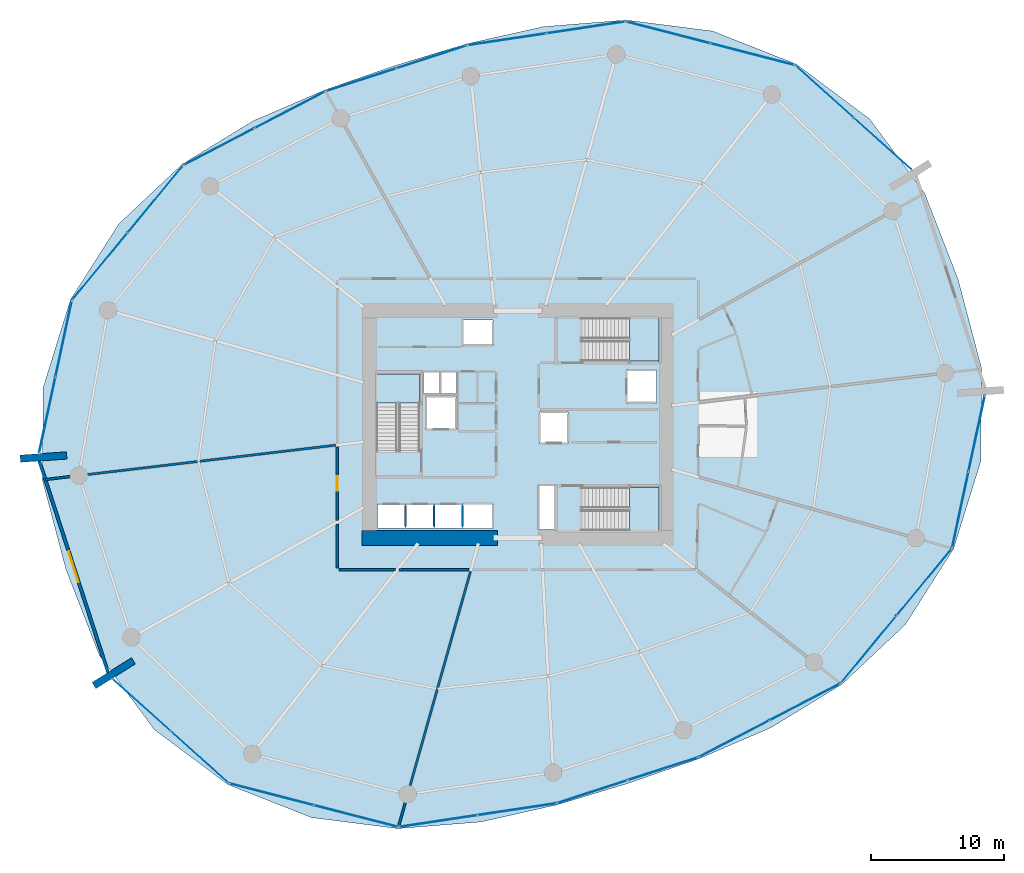
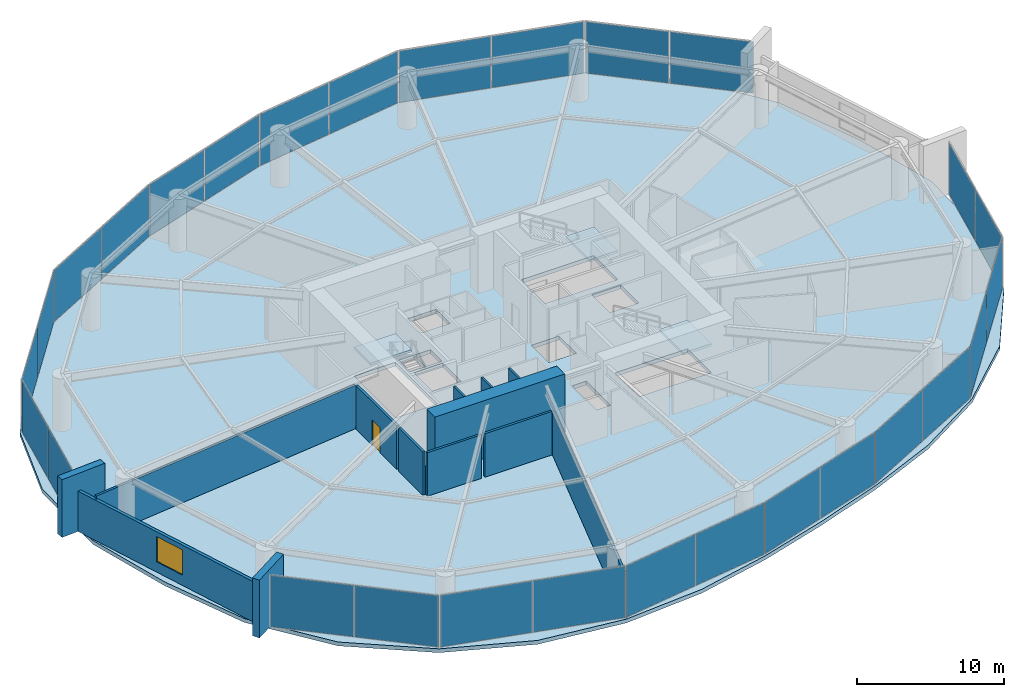
# One storey, part 17 of 22: 28 plates, 13 walls, 4 slabs, 1 door, 1 window, 2 openings, 17 elements without a shape of their own.
"""IFC4 building model written with IfcOpenShell, lengths in metres."""

from ifc_helpers import new_model, si_unit, direction, frame, frame_2d, origin, origin_2d, place, context, subcontext, project, spatial, polyline, rectangle, outline, extrude, material, layer, layer_set, type_object, element, fill, aggregate, save


model = new_model("IFC4")

# Units and contexts
model_context = context("Model", 3, precision=1e-05, world=origin(), true_north=direction((0.0, 1.0)))
body_context = subcontext(model_context, "Body", "Model", "MODEL_VIEW")
ifc_project = project(units=[si_unit("LENGTHUNIT", "METRE"), si_unit("AREAUNIT", "SQUARE_METRE"), si_unit("VOLUMEUNIT", "CUBIC_METRE"), si_unit("PLANEANGLEUNIT", "RADIAN"), si_unit("MASSUNIT", "GRAM", prefix="KILO")], contexts=[model_context])

# Site, building, storey
site_placement = place(None, origin())
site = spatial("IfcSite", under=ifc_project, at=site_placement, CompositionType="ELEMENT")
building_placement = place(site_placement, origin())
building = spatial("IfcBuilding", under=site, at=building_placement, Name="Kazma Halo Residences", CompositionType="ELEMENT")
storey_placement = place(building_placement, frame((0.0, 0.0, 16.800048828125)))
storey = spatial("IfcBuildingStorey", under=building, at=storey_placement, Name="L03", CompositionType="ELEMENT", Elevation=16.800048828125)

# Curtain wall, plates
ifc_material_1 = material(Name="Aluminium AW-6063 T6 and Triple-Silver Low-E Glass", Category="aluminium")
ifc_layer_1 = layer(ifc_material_1, 0.179931640625)
ifc_layer_set_1 = layer_set([ifc_layer_1], Name="Aluminium AW-6063 T6 and Triple-Silver Low-E Glass")
curtain_wall_type = type_object("IfcCurtainWallType", Name="CW-SYS-1", PredefinedType="NOTDEFINED", material=ifc_layer_set_1)
curtain_wall_1_placement = place(storey_placement, origin())
curtain_wall_1 = element("IfcCurtainWall", 1, at=curtain_wall_1_placement, inside=storey, type_object=curtain_wall_type, Name="L03 unitised curtain wall B01", PredefinedType="NOTDEFINED")
ifc_material_2 = material(Name="Clear Triple-Silver Low-E Glass IGU", Category="glass")
ifc_layer_2 = layer(ifc_material_2, 0.031982421875)
ifc_layer_set_2 = layer_set([ifc_layer_2], Name="Clear Triple-Silver Low-E Glass IGU")
plate_type = type_object("IfcPlateType", Name="CW-SYS-1-PNL", PredefinedType="CURTAIN_PANEL", material=ifc_layer_set_2)
plate_1_placement = place(storey_placement, frame((75.8740234375, 63.110107421875, 0.06494140625), z_axis=(0.0, 0.0, 1.0), x_axis=(-0.744297770784, 0.667847908139, 0.0)))
plate_1 = element("IfcPlate", 2, at=plate_1_placement, type_object=plate_type, Name="CWS-1 panel 1.1", PredefinedType="CURTAIN_PANEL", context=body_context, shape_type="SweptSolid", body=[
    extrude(rectangle(XDim=5.8056640625, YDim=0.031982421875, at=origin_2d()), origin(), (0.0, 0.0, 1.0), 4.27001953125),
])
plate_2_placement = place(storey_placement, frame((71.50439453125, 67.031005859375, 0.06494140625), z_axis=(0.0, 0.0, 1.0), x_axis=(-0.744297770784, 0.667847908139, 0.0)))
plate_2 = element("IfcPlate", 3, at=plate_2_placement, type_object=plate_type, Name="CWS-1 panel 2.1", PredefinedType="CURTAIN_PANEL", context=body_context, shape_type="SweptSolid", body=[
    extrude(rectangle(XDim=5.8056640625, YDim=0.031982421875, at=origin_2d()), origin(), (0.0, 0.0, 1.0), 4.27001953125),
])
aggregate(curtain_wall_1, [plate_1, plate_2])

curtain_wall_2_placement = place(storey_placement, origin())
curtain_wall_2 = element("IfcCurtainWall", 4, at=curtain_wall_2_placement, inside=storey, type_object=curtain_wall_type, Name="L03 unitised curtain wall B02", PredefinedType="NOTDEFINED")
plate_3_placement = place(storey_placement, frame((66.09228515625, 69.839111328125, 0.06494140625), z_axis=(0.0, 0.0, 1.0), x_axis=(-0.96831625699, 0.249727103953, 0.0)))
plate_3 = element("IfcPlate", 5, at=plate_3_placement, type_object=plate_type, Name="CWS-1 panel 1.1", PredefinedType="CURTAIN_PANEL", context=body_context, shape_type="SweptSolid", body=[
    extrude(rectangle(XDim=6.48583984375, YDim=0.031982421875, at=origin_2d()), origin(), (0.0, 0.0, 1.0), 4.27001953125),
])
plate_4_placement = place(storey_placement, frame((59.7490234375, 71.47509765625, 0.06494140625), z_axis=(0.0, 0.0, 1.0), x_axis=(-0.96831625699, 0.249727103953, 0.0)))
plate_4 = element("IfcPlate", 6, at=plate_4_placement, type_object=plate_type, Name="CWS-1 panel 2.1", PredefinedType="CURTAIN_PANEL", context=body_context, shape_type="SweptSolid", body=[
    extrude(rectangle(XDim=6.48583984375, YDim=0.031982421875, at=origin_2d()), origin(), (0.0, 0.0, 1.0), 4.27001953125),
])
aggregate(curtain_wall_2, [plate_3, plate_4])

curtain_wall_3_placement = place(storey_placement, origin())
curtain_wall_3 = element("IfcCurtainWall", 7, at=curtain_wall_3_placement, inside=storey, type_object=curtain_wall_type, Name="L03 unitised curtain wall B03", PredefinedType="NOTDEFINED")
plate_5_placement = place(storey_placement, frame((53.549560546875, 71.85107421875, 0.06494140625), z_axis=(0.0, 0.0, 1.0), x_axis=(-0.988905053379, -0.148548966342, 0.0)))
plate_5 = element("IfcPlate", 8, at=plate_5_placement, type_object=plate_type, Name="CWS-1 panel 1.1", PredefinedType="CURTAIN_PANEL", context=body_context, shape_type="SweptSolid", body=[
    extrude(rectangle(XDim=5.929443359375, YDim=0.031982421875, at=origin_2d()), origin(), (0.0, 0.0, 1.0), 4.27001953125),
])
plate_6_placement = place(storey_placement, frame((47.621826171875, 70.96044921875, 0.06494140625), z_axis=(0.0, 0.0, 1.0), x_axis=(-0.988905053379, -0.148548966342, 0.0)))
plate_6 = element("IfcPlate", 9, at=plate_6_placement, type_object=plate_type, Name="CWS-1 panel 2.1", PredefinedType="CURTAIN_PANEL", context=body_context, shape_type="SweptSolid", body=[
    extrude(rectangle(XDim=5.929443359375, YDim=0.031982421875, at=origin_2d()), origin(), (0.0, 0.0, 1.0), 4.27001953125),
])
aggregate(curtain_wall_3, [plate_5, plate_6])

curtain_wall_4_placement = place(storey_placement, origin())
curtain_wall_4 = element("IfcCurtainWall", 10, at=curtain_wall_4_placement, inside=storey, type_object=curtain_wall_type, Name="L03 unitised curtain wall B04", PredefinedType="NOTDEFINED")
plate_7_placement = place(storey_placement, frame((41.94677734375, 69.64013671875, 0.06494140625), z_axis=(0.0, 0.0, 1.0), x_axis=(-0.951056436743, -0.309017239211, 0.0)))
plate_7 = element("IfcPlate", 11, at=plate_7_placement, type_object=plate_type, Name="CWS-1 panel 1.1", PredefinedType="CURTAIN_PANEL", context=body_context, shape_type="SweptSolid", body=[
    extrude(rectangle(XDim=5.50341796875, YDim=0.031982421875, at=origin_2d()), origin(), (0.0, 0.0, 1.0), 4.27001953125),
])
plate_8_placement = place(storey_placement, frame((36.65087890625, 67.91943359375, 0.06494140625), z_axis=(0.0, 0.0, 1.0), x_axis=(-0.951056436743, -0.309017239211, 0.0)))
plate_8 = element("IfcPlate", 12, at=plate_8_placement, type_object=plate_type, Name="CWS-1 panel 2.1", PredefinedType="CURTAIN_PANEL", context=body_context, shape_type="SweptSolid", body=[
    extrude(rectangle(XDim=5.50341796875, YDim=0.031982421875, at=origin_2d()), origin(), (0.0, 0.0, 1.0), 4.27001953125),
])
aggregate(curtain_wall_4, [plate_7, plate_8])

curtain_wall_5_placement = place(storey_placement, origin())
curtain_wall_5 = element("IfcCurtainWall", 13, at=curtain_wall_5_placement, inside=storey, type_object=curtain_wall_type, Name="L03 unitised curtain wall B05", PredefinedType="NOTDEFINED")
plate_9_placement = place(storey_placement, frame((31.283447265625, 65.65185546875, 0.06494140625), z_axis=(0.0, 0.0, 1.0), x_axis=(-0.887355036047, -0.46108680311, 0.0)))
plate_9 = element("IfcPlate", 14, at=plate_9_placement, type_object=plate_type, Name="CWS-1 panel 1.1", PredefinedType="CURTAIN_PANEL", context=body_context, shape_type="SweptSolid", body=[
    extrude(rectangle(XDim=5.929443359375, YDim=0.031982421875, at=origin_2d()), origin(), (0.0, 0.0, 1.0), 4.27001953125),
])
plate_10_placement = place(storey_placement, frame((25.96435546875, 62.887939453125, 0.06494140625), z_axis=(0.0, 0.0, 1.0), x_axis=(-0.887355036047, -0.46108680311, 0.0)))
plate_10 = element("IfcPlate", 15, at=plate_10_placement, type_object=plate_type, Name="CWS-1 panel 2.1", PredefinedType="CURTAIN_PANEL", context=body_context, shape_type="SweptSolid", body=[
    extrude(rectangle(XDim=5.929443359375, YDim=0.031982421875, at=origin_2d()), origin(), (0.0, 0.0, 1.0), 4.27001953125),
])
aggregate(curtain_wall_5, [plate_9, plate_10])

curtain_wall_6_placement = place(storey_placement, origin())
curtain_wall_6 = element("IfcCurtainWall", 16, at=curtain_wall_6_placement, inside=storey, type_object=curtain_wall_type, Name="L03 unitised curtain wall B06", PredefinedType="NOTDEFINED")
plate_11_placement = place(storey_placement, frame((21.169921875, 58.93994140625, 0.06494140625), z_axis=(0.0, 0.0, 1.0), x_axis=(-0.636602895194, -0.771191775002, 0.0)))
plate_11 = element("IfcPlate", 17, at=plate_11_placement, type_object=plate_type, Name="CWS-1 panel 1.1", PredefinedType="CURTAIN_PANEL", context=body_context, shape_type="SweptSolid", body=[
    extrude(rectangle(XDim=6.48583984375, YDim=0.031982421875, at=origin_2d()), origin(), (0.0, 0.0, 1.0), 4.27001953125),
])
plate_12_placement = place(storey_placement, frame((16.999755859375, 53.887939453125, 0.06494140625), z_axis=(0.0, 0.0, 1.0), x_axis=(-0.636602895194, -0.771191775002, 0.0)))
plate_12 = element("IfcPlate", 18, at=plate_12_placement, type_object=plate_type, Name="CWS-1 panel 2.1", PredefinedType="CURTAIN_PANEL", context=body_context, shape_type="SweptSolid", body=[
    extrude(rectangle(XDim=6.48583984375, YDim=0.031982421875, at=origin_2d()), origin(), (0.0, 0.0, 1.0), 4.27001953125),
])
aggregate(curtain_wall_6, [plate_11, plate_12])

curtain_wall_7_placement = place(storey_placement, origin())
curtain_wall_7 = element("IfcCurtainWall", 19, at=curtain_wall_7_placement, inside=storey, type_object=curtain_wall_type, Name="L03 unitised curtain wall B07", PredefinedType="NOTDEFINED")
plate_13_placement = place(storey_placement, frame((14.271728515625, 48.434814453125, 0.06494140625), z_axis=(0.0, 0.0, 1.0), x_axis=(-0.209595607771, -0.977788157631, 0.0)))
plate_13 = element("IfcPlate", 20, at=plate_13_placement, type_object=plate_type, Name="CWS-1 panel 1.1", PredefinedType="CURTAIN_PANEL", context=body_context, shape_type="SweptSolid", body=[
    extrude(rectangle(XDim=5.8056640625, YDim=0.031982421875, at=origin_2d()), origin(), (0.0, 0.0, 1.0), 4.27001953125),
])
plate_14_placement = place(storey_placement, frame((13.041259765625, 42.694580078125, 0.06494140625), z_axis=(0.0, 0.0, 1.0), x_axis=(-0.209595607771, -0.977788157631, 0.0)))
plate_14 = element("IfcPlate", 21, at=plate_14_placement, type_object=plate_type, Name="CWS-1 panel 2.1", PredefinedType="CURTAIN_PANEL", context=body_context, shape_type="SweptSolid", body=[
    extrude(rectangle(XDim=5.8056640625, YDim=0.031982421875, at=origin_2d()), origin(), (0.0, 0.0, 1.0), 4.27001953125),
])
aggregate(curtain_wall_7, [plate_13, plate_14])

curtain_wall_8_placement = place(storey_placement, origin())
curtain_wall_8 = element("IfcCurtainWall", 22, at=curtain_wall_8_placement, inside=storey, type_object=curtain_wall_type, Name="L03 unitised curtain wall B09", PredefinedType="NOTDEFINED")
plate_15_placement = place(storey_placement, frame((20.1259765625, 20.889892578125, 0.06494140625), z_axis=(0.0, 0.0, 1.0), x_axis=(0.744297770784, -0.667847908139, 0.0)))
plate_15 = element("IfcPlate", 23, at=plate_15_placement, type_object=plate_type, Name="CWS-1 panel 1.1", PredefinedType="CURTAIN_PANEL", context=body_context, shape_type="SweptSolid", body=[
    extrude(rectangle(XDim=5.8056640625, YDim=0.031982421875, at=origin_2d()), origin(), (0.0, 0.0, 1.0), 4.27001953125),
])
plate_16_placement = place(storey_placement, frame((24.49560546875, 16.968994140625, 0.06494140625), z_axis=(0.0, 0.0, 1.0), x_axis=(0.744297770784, -0.667847908139, 0.0)))
plate_16 = element("IfcPlate", 24, at=plate_16_placement, type_object=plate_type, Name="CWS-1 panel 2.1", PredefinedType="CURTAIN_PANEL", context=body_context, shape_type="SweptSolid", body=[
    extrude(rectangle(XDim=5.8056640625, YDim=0.031982421875, at=origin_2d()), origin(), (0.0, 0.0, 1.0), 4.27001953125),
])
aggregate(curtain_wall_8, [plate_15, plate_16])

curtain_wall_9_placement = place(storey_placement, origin())
curtain_wall_9 = element("IfcCurtainWall", 25, at=curtain_wall_9_placement, inside=storey, type_object=curtain_wall_type, Name="L03 unitised curtain wall B10", PredefinedType="NOTDEFINED")
plate_17_placement = place(storey_placement, frame((29.90771484375, 14.160888671875, 0.06494140625), z_axis=(0.0, 0.0, 1.0), x_axis=(0.96831625699, -0.249727103953, 0.0)))
plate_17 = element("IfcPlate", 26, at=plate_17_placement, type_object=plate_type, Name="CWS-1 panel 1.1", PredefinedType="CURTAIN_PANEL", context=body_context, shape_type="SweptSolid", body=[
    extrude(rectangle(XDim=6.48583984375, YDim=0.031982421875, at=origin_2d()), origin(), (0.0, 0.0, 1.0), 4.27001953125),
])
plate_18_placement = place(storey_placement, frame((36.2509765625, 12.52490234375, 0.06494140625), z_axis=(0.0, 0.0, 1.0), x_axis=(0.96831625699, -0.249727103953, 0.0)))
plate_18 = element("IfcPlate", 27, at=plate_18_placement, type_object=plate_type, Name="CWS-1 panel 2.1", PredefinedType="CURTAIN_PANEL", context=body_context, shape_type="SweptSolid", body=[
    extrude(rectangle(XDim=6.48583984375, YDim=0.031982421875, at=origin_2d()), origin(), (0.0, 0.0, 1.0), 4.27001953125),
])
aggregate(curtain_wall_9, [plate_17, plate_18])

curtain_wall_10_placement = place(storey_placement, origin())
curtain_wall_10 = element("IfcCurtainWall", 28, at=curtain_wall_10_placement, inside=storey, type_object=curtain_wall_type, Name="L03 unitised curtain wall B11", PredefinedType="NOTDEFINED")
plate_19_placement = place(storey_placement, frame((42.450439453125, 12.14892578125, 0.06494140625), z_axis=(0.0, 0.0, 1.0), x_axis=(0.988905053379, 0.148548966342, 0.0)))
plate_19 = element("IfcPlate", 29, at=plate_19_placement, type_object=plate_type, Name="CWS-1 panel 1.1", PredefinedType="CURTAIN_PANEL", context=body_context, shape_type="SweptSolid", body=[
    extrude(rectangle(XDim=5.929443359375, YDim=0.031982421875, at=origin_2d()), origin(), (0.0, 0.0, 1.0), 4.27001953125),
])
plate_20_placement = place(storey_placement, frame((48.378173828125, 13.03955078125, 0.06494140625), z_axis=(0.0, 0.0, 1.0), x_axis=(0.988905053379, 0.148548966342, 0.0)))
plate_20 = element("IfcPlate", 30, at=plate_20_placement, type_object=plate_type, Name="CWS-1 panel 2.1", PredefinedType="CURTAIN_PANEL", context=body_context, shape_type="SweptSolid", body=[
    extrude(rectangle(XDim=5.929443359375, YDim=0.031982421875, at=origin_2d()), origin(), (0.0, 0.0, 1.0), 4.27001953125),
])
aggregate(curtain_wall_10, [plate_19, plate_20])

curtain_wall_11_placement = place(storey_placement, origin())
curtain_wall_11 = element("IfcCurtainWall", 31, at=curtain_wall_11_placement, inside=storey, type_object=curtain_wall_type, Name="L03 unitised curtain wall B12", PredefinedType="NOTDEFINED")
plate_21_placement = place(storey_placement, frame((54.05322265625, 14.35986328125, 0.06494140625), z_axis=(0.0, 0.0, 1.0), x_axis=(0.951056436743, 0.309017239211, 0.0)))
plate_21 = element("IfcPlate", 32, at=plate_21_placement, type_object=plate_type, Name="CWS-1 panel 1.1", PredefinedType="CURTAIN_PANEL", context=body_context, shape_type="SweptSolid", body=[
    extrude(rectangle(XDim=5.50341796875, YDim=0.031982421875, at=origin_2d()), origin(), (0.0, 0.0, 1.0), 4.27001953125),
])
plate_22_placement = place(storey_placement, frame((59.34912109375, 16.08056640625, 0.06494140625), z_axis=(0.0, 0.0, 1.0), x_axis=(0.951056436743, 0.309017239211, 0.0)))
plate_22 = element("IfcPlate", 33, at=plate_22_placement, type_object=plate_type, Name="CWS-1 panel 2.1", PredefinedType="CURTAIN_PANEL", context=body_context, shape_type="SweptSolid", body=[
    extrude(rectangle(XDim=5.50341796875, YDim=0.031982421875, at=origin_2d()), origin(), (0.0, 0.0, 1.0), 4.27001953125),
])
aggregate(curtain_wall_11, [plate_21, plate_22])

curtain_wall_12_placement = place(storey_placement, origin())
curtain_wall_12 = element("IfcCurtainWall", 34, at=curtain_wall_12_placement, inside=storey, type_object=curtain_wall_type, Name="L03 unitised curtain wall B13", PredefinedType="NOTDEFINED")
plate_23_placement = place(storey_placement, frame((64.716552734375, 18.34814453125, 0.06494140625), z_axis=(0.0, 0.0, 1.0), x_axis=(0.887355036047, 0.46108680311, 0.0)))
plate_23 = element("IfcPlate", 35, at=plate_23_placement, type_object=plate_type, Name="CWS-1 panel 1.1", PredefinedType="CURTAIN_PANEL", context=body_context, shape_type="SweptSolid", body=[
    extrude(rectangle(XDim=5.929443359375, YDim=0.031982421875, at=origin_2d()), origin(), (0.0, 0.0, 1.0), 4.27001953125),
])
plate_24_placement = place(storey_placement, frame((70.03564453125, 21.112060546875, 0.06494140625), z_axis=(0.0, 0.0, 1.0), x_axis=(0.887355036047, 0.46108680311, 0.0)))
plate_24 = element("IfcPlate", 36, at=plate_24_placement, type_object=plate_type, Name="CWS-1 panel 2.1", PredefinedType="CURTAIN_PANEL", context=body_context, shape_type="SweptSolid", body=[
    extrude(rectangle(XDim=5.929443359375, YDim=0.031982421875, at=origin_2d()), origin(), (0.0, 0.0, 1.0), 4.27001953125),
])
aggregate(curtain_wall_12, [plate_23, plate_24])

curtain_wall_13_placement = place(storey_placement, origin())
curtain_wall_13 = element("IfcCurtainWall", 37, at=curtain_wall_13_placement, inside=storey, type_object=curtain_wall_type, Name="L03 unitised curtain wall B14", PredefinedType="NOTDEFINED")
plate_25_placement = place(storey_placement, frame((74.830078125, 25.06005859375, 0.06494140625), z_axis=(0.0, 0.0, 1.0), x_axis=(0.636602895194, 0.771191775002, 0.0)))
plate_25 = element("IfcPlate", 38, at=plate_25_placement, type_object=plate_type, Name="CWS-1 panel 1.1", PredefinedType="CURTAIN_PANEL", context=body_context, shape_type="SweptSolid", body=[
    extrude(rectangle(XDim=6.48583984375, YDim=0.031982421875, at=origin_2d()), origin(), (0.0, 0.0, 1.0), 4.27001953125),
])
plate_26_placement = place(storey_placement, frame((79.000244140625, 30.112060546875, 0.06494140625), z_axis=(0.0, 0.0, 1.0), x_axis=(0.636602895194, 0.771191775002, 0.0)))
plate_26 = element("IfcPlate", 39, at=plate_26_placement, type_object=plate_type, Name="CWS-1 panel 2.1", PredefinedType="CURTAIN_PANEL", context=body_context, shape_type="SweptSolid", body=[
    extrude(rectangle(XDim=6.48583984375, YDim=0.031982421875, at=origin_2d()), origin(), (0.0, 0.0, 1.0), 4.27001953125),
])
aggregate(curtain_wall_13, [plate_25, plate_26])

curtain_wall_14_placement = place(storey_placement, origin())
curtain_wall_14 = element("IfcCurtainWall", 40, at=curtain_wall_14_placement, inside=storey, type_object=curtain_wall_type, Name="L03 unitised curtain wall B15", PredefinedType="NOTDEFINED")
plate_27_placement = place(storey_placement, frame((81.728271484375, 35.565185546875, 0.06494140625), z_axis=(0.0, 0.0, 1.0), x_axis=(0.209595607771, 0.977788157631, 0.0)))
plate_27 = element("IfcPlate", 41, at=plate_27_placement, type_object=plate_type, Name="CWS-1 panel 1.1", PredefinedType="CURTAIN_PANEL", context=body_context, shape_type="SweptSolid", body=[
    extrude(rectangle(XDim=5.8056640625, YDim=0.031982421875, at=origin_2d()), origin(), (0.0, 0.0, 1.0), 4.27001953125),
])
plate_28_placement = place(storey_placement, frame((82.958740234375, 41.305419921875, 0.06494140625), z_axis=(0.0, 0.0, 1.0), x_axis=(0.209595607771, 0.977788157631, 0.0)))
plate_28 = element("IfcPlate", 42, at=plate_28_placement, type_object=plate_type, Name="CWS-1 panel 2.1", PredefinedType="CURTAIN_PANEL", context=body_context, shape_type="SweptSolid", body=[
    extrude(rectangle(XDim=5.8056640625, YDim=0.031982421875, at=origin_2d()), origin(), (0.0, 0.0, 1.0), 4.27001953125),
])
aggregate(curtain_wall_14, [plate_27, plate_28])

# Slab
ifc_material_3 = material(Name="Concrete C50/60", Category="concrete")
ifc_layer_3 = layer(ifc_material_3, 0.320068359375)
ifc_layer_set_3 = layer_set([ifc_layer_3], Name="Concrete C50/60")
slab_type_1 = type_object("IfcSlabType", Name="SLB-POD-320", PredefinedType="FLOOR", material=ifc_layer_set_3)
slab_1_placement = place(storey_placement, frame((0.0, 0.0, -0.320068359375)))
element("IfcSlab", 43, at=slab_1_placement, inside=storey, type_object=slab_type_1, Name="L03 structural floor slab", PredefinedType="FLOOR", context=body_context, shape_type="SweptSolid", body=[
    extrude(outline(polyline([(81.56396484375, 52.905517578125), (79.04638671875, 59.38671875), (74.903564453125, 64.977783203125), (69.36962890625, 69.107177734375), (63.076171875, 71.58837890625), (56.578369140625, 72.41650390625), (50.354736328125, 71.918701171875), (44.611572265625, 70.629638671875), (39.226318359375, 69.00244140625), (33.913330078125, 67.153564453125), (28.50927734375, 64.82080078125), (23.181396484375, 61.565185546875), (18.41162109375, 57.076171875), (14.7783203125, 51.369384765625), (12.728515625, 44.77587890625), (12.663330078125, 37.817626953125), (14.43603515625, 31.094482421875), (16.95361328125, 24.61328125), (21.096435546875, 19.022216796875), (26.63037109375, 14.892822265625), (32.923828125, 12.41162109375), (39.421630859375, 11.58349609375), (45.645263671875, 12.081298828125), (51.388427734375, 13.370361328125), (56.773681640625, 14.99755859375), (62.086669921875, 16.846435546875), (67.49072265625, 19.17919921875), (72.818603515625, 22.434814453125), (77.58837890625, 26.923828125), (81.2216796875, 32.630615234375), (83.271484375, 39.22412109375), (83.336669921875, 46.182373046875), (81.56396484375, 52.905517578125)]), holes=[polyline([(37.800048828125, 40.110107421875), (41.050048828125, 40.110107421875), (41.050048828125, 45.800048828125), (37.800048828125, 45.800048828125), (37.800048828125, 40.110107421875)]), polyline([(53.360107421875, 46.75), (59.050048828125, 46.75), (59.050048828125, 50.0), (53.360107421875, 50.0), (53.360107421875, 46.75)]), polyline([(53.360107421875, 34.0), (59.050048828125, 34.0), (59.050048828125, 37.25), (53.360107421875, 37.25), (53.360107421875, 34.0)]), polyline([(41.52001953125, 41.6201171875), (43.780029296875, 41.6201171875), (43.780029296875, 44.080078125), (41.52001953125, 44.080078125), (41.52001953125, 41.6201171875)]), polyline([(56.6201171875, 43.6201171875), (58.8798828125, 43.6201171875), (58.8798828125, 46.080078125), (56.6201171875, 46.080078125), (56.6201171875, 43.6201171875)]), polyline([(37.864990234375, 34.195068359375), (39.97509765625, 34.195068359375), (39.97509765625, 36.0048828125), (37.864990234375, 36.0048828125), (37.864990234375, 34.195068359375)]), polyline([(40.014892578125, 34.195068359375), (42.125, 34.195068359375), (42.125, 36.0048828125), (40.014892578125, 36.0048828125), (40.014892578125, 34.195068359375)]), polyline([(42.1650390625, 34.195068359375), (44.27490234375, 34.195068359375), (44.27490234375, 36.0048828125), (42.1650390625, 36.0048828125), (42.1650390625, 34.195068359375)]), polyline([(44.320068359375, 47.945068359375), (46.580078125, 47.945068359375), (46.580078125, 49.85498046875), (44.320068359375, 49.85498046875), (44.320068359375, 47.945068359375)]), polyline([(44.320068359375, 34.14501953125), (46.580078125, 34.14501953125), (46.580078125, 36.054931640625), (44.320068359375, 36.054931640625), (44.320068359375, 34.14501953125)]), polyline([(50.070068359375, 40.570068359375), (52.22998046875, 40.570068359375), (52.22998046875, 42.929931640625), (50.070068359375, 42.929931640625), (50.070068359375, 40.570068359375)]), polyline([(41.360107421875, 44.340087890625), (42.5400390625, 44.340087890625), (42.5400390625, 45.89990234375), (41.360107421875, 45.89990234375), (41.360107421875, 44.340087890625)]), polyline([(42.659912109375, 44.340087890625), (43.840087890625, 44.340087890625), (43.840087890625, 45.89990234375), (42.659912109375, 45.89990234375), (42.659912109375, 44.340087890625)]), polyline([(50.06005859375, 34.080078125), (51.159912109375, 34.080078125), (51.159912109375, 37.3798828125), (50.06005859375, 37.3798828125), (50.06005859375, 34.080078125)])]), origin(), (0.0, 0.0, 1.0), 0.320068359375),
])

# Stair, slab
stair_type = type_object("IfcStairType", Name="STR-POD", PredefinedType="HALF_TURN_STAIR", material=ifc_material_3)
stair_1_placement = place(storey_placement, origin())
stair_1 = element("IfcStair", 44, at=stair_1_placement, inside=storey, type_object=stair_type, Name="L03 Core exit stair ST-01", PredefinedType="HALF_TURN_STAIR")
ifc_layer_4 = layer(ifc_material_3, 0.199951171875)
ifc_layer_set_4 = layer_set([ifc_layer_4], Name="Concrete C50/60")
slab_type_2 = type_object("IfcSlabType", Name="SLB-STAIR-LND-200", PredefinedType="LANDING", material=ifc_layer_set_4)
slab_2_placement = place(storey_placement, frame((0.0, 0.0, 2.199951171875)))
slab_2 = element("IfcSlab", 45, at=slab_2_placement, type_object=slab_type_2, Name="ST-01 landing 1", PredefinedType="LANDING", context=body_context, shape_type="SweptSolid", body=[
    extrude(outline(polyline([(41.050048828125, 43.590087890625), (41.050048828125, 45.800048828125), (37.800048828125, 45.800048828125), (37.800048828125, 43.590087890625), (41.050048828125, 43.590087890625)])), origin(), (0.0, 0.0, 1.0), 0.199951171875),
])
aggregate(stair_1, [slab_2])

stair_2_placement = place(storey_placement, origin())
stair_2 = element("IfcStair", 46, at=stair_2_placement, inside=storey, type_object=stair_type, Name="L03 Core exit stair ST-02", PredefinedType="HALF_TURN_STAIR")
slab_3_placement = place(storey_placement, frame((0.0, 0.0, 2.199951171875)))
slab_3 = element("IfcSlab", 47, at=slab_3_placement, type_object=slab_type_2, Name="ST-02 landing 1", PredefinedType="LANDING", context=body_context, shape_type="SweptSolid", body=[
    extrude(outline(polyline([(56.840087890625, 46.75), (59.050048828125, 46.75), (59.050048828125, 50.0), (56.840087890625, 50.0), (56.840087890625, 46.75)])), origin(), (0.0, 0.0, 1.0), 0.199951171875),
])
aggregate(stair_2, [slab_3])

stair_3_placement = place(storey_placement, origin())
stair_3 = element("IfcStair", 48, at=stair_3_placement, inside=storey, type_object=stair_type, Name="L03 Core exit stair ST-03", PredefinedType="HALF_TURN_STAIR")
slab_4_placement = place(storey_placement, frame((0.0, 0.0, 2.199951171875)))
slab_4 = element("IfcSlab", 49, at=slab_4_placement, type_object=slab_type_2, Name="ST-03 landing 1", PredefinedType="LANDING", context=body_context, shape_type="SweptSolid", body=[
    extrude(outline(polyline([(56.840087890625, 34.0), (59.050048828125, 34.0), (59.050048828125, 37.25), (56.840087890625, 37.25), (56.840087890625, 34.0)])), origin(), (0.0, 0.0, 1.0), 0.199951171875),
])
aggregate(stair_3, [slab_4])

# Walls
ifc_material_4 = material(Name="Pale Concrete C60/75", Category="concrete")
ifc_layer_5 = layer(ifc_material_4, 0.550048828125)
ifc_layer_set_5 = layer_set([ifc_layer_5], Name="Pale Concrete C60/75")
wall_type_1 = type_object("IfcWallType", Name="WL-BLADE-550", PredefinedType="SOLIDWALL", material=ifc_layer_set_5)
for number, where, z_axis, x_axis, name in (
    (50, (14.497314453125, 39.6572265625, 0.0), (0.0, 0.0, 1.0), (-0.997564163539, -0.069754853754, 0.0), "L03 pale concrete structural blade fin wall BW-02"),
    (51, (19.518798828125, 24.202880859375, 0.0), (0.0, 0.0, 1.0), (-0.848053161125, -0.529911158502, 0.0), "L03 pale concrete structural blade fin wall BW-03"),
):
    element("IfcWall", number, at=place(storey_placement, frame(where, z_axis=z_axis, x_axis=x_axis)), inside=storey, type_object=wall_type_1, Name=name, PredefinedType="SOLIDWALL", context=body_context, shape_type="SweptSolid", body=[
        extrude(rectangle(XDim=3.5, YDim=0.550048828125, at=frame_2d((1.75, 0.0))), origin(), (0.0, 0.0, 1.0), 4.800048828125),
    ])
ifc_material_5 = material(Name="Concrete C80/95", Category="concrete")
ifc_layer_6 = layer(ifc_material_5, 1.10009765625)
ifc_layer_set_6 = layer_set([ifc_layer_6], Name="Concrete C80/95")
wall_type_2 = type_object("IfcWallType", Name="WL-CORE-1100", PredefinedType="SHEAR", material=ifc_layer_set_6)
wall_1_placement = place(storey_placement, frame((36.699951171875, 33.449951171875, 0.0), z_axis=(0.0, 0.0, 1.0), x_axis=(1.0, 0.0, 0.0)))
element("IfcWall", 52, at=wall_1_placement, inside=storey, type_object=wall_type_2, Name="L03 central core shear wall SW", PredefinedType="SHEAR", context=body_context, shape_type="SweptSolid", body=[
    extrude(rectangle(XDim=10.199951171875, YDim=1.10009765625, at=frame_2d((5.10009765625, 0.0))), origin(), (0.0, 0.0, 1.0), 4.800048828125),
])
ifc_material_6 = material(Name="Acoustic Twin-Stud Gypsum")
ifc_layer_7 = layer(ifc_material_6, 0.179931640625)
ifc_layer_set_7 = layer_set([ifc_layer_7], Name="Acoustic Twin-Stud Gypsum")
wall_type_3 = type_object("IfcWallType", Name="WL-DEM-180", PredefinedType="PARTITIONING", material=ifc_layer_set_7)
wall_2_placement = place(storey_placement, frame((34.74072265625, 40.4306640625, 0.0), z_axis=(0.0, 0.0, 1.0), x_axis=(-0.993068662125, -0.117535663975, 0.0)))
element("IfcWall", 53, at=wall_2_placement, inside=storey, type_object=wall_type_3, Name="L03 radial partition wall 07", PredefinedType="PARTITIONING", context=body_context, shape_type="SweptSolid", body=[
    extrude(rectangle(XDim=21.98876953125, YDim=0.179931640625, at=frame_2d((10.994384765625, 0.0))), origin(), (0.0, 0.0, 1.0), 3.613037109375),
])

# Wall, opening, door
wall_3_placement = place(storey_placement, frame((34.85009765625, 40.3037109375, 0.0), z_axis=(0.0, 0.0, 1.0), x_axis=(0.0, -1.0, 0.0)))
wall_3 = element("IfcWall", 54, at=wall_3_placement, inside=storey, type_object=wall_type_3, Name="L03 Personal Training Studio corridor wall", PredefinedType="PARTITIONING", context=body_context, shape_type="SweptSolid", body=[
    extrude(rectangle(XDim=5.528076171875, YDim=0.179931640625, at=frame_2d((2.76416015625, 0.0))), origin(), (0.0, 0.0, 1.0), 3.613037109375),
])
opening_1_placement = place(wall_3_placement, frame((2.214111328125, 0.0, 0.0)))
opening_1 = element("IfcOpeningElement", 55, at=opening_1_placement, cuts=wall_3, Name="Opening DA-1100", PredefinedType="OPENING", context=body_context, shape_type="SweptSolid", body=[
    extrude(rectangle(XDim=1.10009765625, YDim=2.10009765625, at=frame_2d((0.550048828125, 1.050048828125))), frame((0.0, 0.099853515625, 0.0), z_axis=(0.0, -1.0, 0.0), x_axis=(1.0, 0.0, 0.0)), (0.0, 0.0, 1.0), 0.199951171875),
])
ifc_material_7 = material(Name="Acoustic Walnut Fire Leaf")
door_type = type_object("IfcDoorType", Name="DR-FD60-1100", OperationType="NOTDEFINED", PredefinedType="DOOR", material=ifc_material_7)
door_placement = place(opening_1_placement, origin())
door = element("IfcDoor", 56, at=door_placement, inside=storey, type_object=door_type, Name="L03 Personal Training Studio entrance door", OperationType="SINGLE_SWING_LEFT", OverallHeight=2.10009765625, OverallWidth=1.10009765625, PredefinedType="DOOR", context=body_context, shape_type="SweptSolid", body=[
    extrude(rectangle(XDim=1.10009765625, YDim=2.10009765625, at=frame_2d((0.550048828125, 1.050048828125))), frame((0.0, 0.02490234375, 0.0), z_axis=(0.0, -1.0, 0.0), x_axis=(1.0, 0.0, 0.0)), (0.0, 0.0, 1.0), 0.050048828125),
])
fill(opening_1, door)

# Walls
wall_4_placement = place(storey_placement, frame((34.85009765625, 34.49560546875, 0.0), z_axis=(0.0, 0.0, 1.0), x_axis=(0.0, -1.0, 0.0)))
element("IfcWall", 57, at=wall_4_placement, inside=storey, type_object=wall_type_3, Name="L03 Personal Training Studio corridor wall", PredefinedType="PARTITIONING", context=body_context, shape_type="SweptSolid", body=[
    extrude(rectangle(XDim=3.3056640625, YDim=0.179931640625, at=frame_2d((1.65283203125, 0.0))), origin(), (0.0, 0.0, 1.0), 3.613037109375),
])
wall_5_placement = place(storey_placement, frame((34.989990234375, 31.050048828125, 0.0), z_axis=(0.0, 0.0, 1.0), x_axis=(1.0, 0.0, 0.0)))
element("IfcWall", 58, at=wall_5_placement, inside=storey, type_object=wall_type_3, Name="L03 Personal Training Studio corridor wall", PredefinedType="PARTITIONING", context=body_context, shape_type="SweptSolid", body=[
    extrude(rectangle(XDim=4.23779296875, YDim=0.179931640625, at=frame_2d((2.118896484375, 0.0))), origin(), (0.0, 0.0, 1.0), 3.613037109375),
])
wall_6_placement = place(storey_placement, frame((39.5078125, 31.050048828125, 0.0), z_axis=(0.0, 0.0, 1.0), x_axis=(1.0, 0.0, 0.0)))
element("IfcWall", 59, at=wall_6_placement, inside=storey, type_object=wall_type_3, Name="L03 Personal Training Studio corridor wall", PredefinedType="PARTITIONING", context=body_context, shape_type="SweptSolid", body=[
    extrude(rectangle(XDim=5.263916015625, YDim=0.179931640625, at=frame_2d((2.6318359375, 0.0))), origin(), (0.0, 0.0, 1.0), 3.613037109375),
])
wall_7_placement = place(storey_placement, frame((44.8818359375, 30.944091796875, 0.0), z_axis=(0.0, 0.0, 1.0), x_axis=(-0.271438678553, -0.962455736014, 0.0)))
element("IfcWall", 60, at=wall_7_placement, inside=storey, type_object=wall_type_3, Name="L03 radial partition wall 10", PredefinedType="PARTITIONING", context=body_context, shape_type="SweptSolid", body=[
    extrude(rectangle(XDim=19.970947265625, YDim=0.179931640625, at=frame_2d((9.9853515625, 0.0))), origin(), (0.0, 0.0, 1.0), 3.613037109375),
])

# Wall, opening, window
ifc_material_8 = material(Name="Insulated Pale-Metal Composite Wall")
ifc_layer_8 = layer(ifc_material_8, 0.239990234375)
ifc_layer_set_8 = layer_set([ifc_layer_8], Name="Insulated Pale-Metal Composite Wall")
wall_type_4 = type_object("IfcWallType", Name="WL-EXT-HOST-240", PredefinedType="SOLIDWALL", material=ifc_layer_set_8)
wall_8_placement = place(storey_placement, frame((12.42724609375, 39.275390625, 0.0), z_axis=(0.0, 0.0, 1.0), x_axis=(0.309022005354, -0.951054888115, 0.0)))
wall_8 = element("IfcWall", 61, at=wall_8_placement, inside=storey, type_object=wall_type_4, Name="L03 podium end wall B08", PredefinedType="SOLIDWALL", context=body_context, shape_type="SweptSolid", body=[
    extrude(rectangle(XDim=16.802734375, YDim=0.239990234375, at=frame_2d((8.4013671875, 0.0))), origin(), (0.0, 0.0, 1.0), 3.349853515625),
])
opening_2_placement = place(wall_8_placement, frame((7.201171875, 0.0, 0.85009765625)))
opening_2 = element("IfcOpeningElement", 62, at=opening_2_placement, cuts=wall_8, Name="Opening W-2400", PredefinedType="OPENING", context=body_context, shape_type="SweptSolid", body=[
    extrude(rectangle(XDim=2.39990234375, YDim=2.10009765625, at=frame_2d((1.199951171875, 1.050048828125))), frame((0.0, 0.1298828125, 0.0), z_axis=(0.0, -1.0, 0.0), x_axis=(1.0, 0.0, 0.0)), (0.0, 0.0, 1.0), 0.260009765625),
])
ifc_material_9 = material(Name="Clear Triple-Silver Low-E Glass in Aluminium AW-6063 T6 Frame", Category="aluminium")
window_type = type_object("IfcWindowType", Name="WIN-POD-2400", PartitioningType="DOUBLE_PANEL_VERTICAL", PredefinedType="WINDOW", material=ifc_material_9)
window_placement = place(opening_2_placement, origin())
window = element("IfcWindow", 63, at=window_placement, inside=storey, type_object=window_type, Name="L03 podium vision window B08", OverallHeight=2.10009765625, OverallWidth=2.39990234375, PartitioningType="SINGLE_PANEL", PredefinedType="WINDOW", context=body_context, shape_type="SweptSolid", body=[
    extrude(rectangle(XDim=2.39990234375, YDim=2.10009765625, at=frame_2d((1.199951171875, 1.050048828125))), frame((0.0, 0.030029296875, 0.0), z_axis=(0.0, -1.0, 0.0), x_axis=(1.0, 0.0, 0.0)), (0.0, 0.0, 1.0), 0.06005859375),
])
fill(opening_2, window)

# Walls
ifc_material_10 = material(Name="Fire-Rated Blockwork Masonry", Category="masonry")
ifc_layer_9 = layer(ifc_material_10, 0.199951171875)
ifc_layer_set_9 = layer_set([ifc_layer_9], Name="Fire-Rated Blockwork Masonry")
wall_type_5 = type_object("IfcWallType", Name="WL-FLB-200", PredefinedType="PARTITIONING", material=ifc_layer_set_9)
for number, where, z_axis, x_axis, name in (
    (64, (39.97509765625, 34.294921875, 0.0), (0.0, 0.0, 1.0), (0.0, 1.0, 0.0), "L03 lift shaft PL-01 side wall E"),
    (65, (42.125, 34.294921875, 0.0), (0.0, 0.0, 1.0), (0.0, 1.0, 0.0), "L03 lift shaft PL-02 side wall E"),
    (66, (44.27490234375, 34.294921875, 0.0), (0.0, 0.0, 1.0), (0.0, 1.0, 0.0), "L03 lift shaft PL-03 side wall E"),
):
    element("IfcWall", number, at=place(storey_placement, frame(where, z_axis=z_axis, x_axis=x_axis)), inside=storey, type_object=wall_type_5, Name=name, PredefinedType="PARTITIONING", context=body_context, shape_type="SweptSolid", body=[
        extrude(rectangle(XDim=1.610107421875, YDim=0.159912109375, at=frame_2d((0.80517578125, 0.0))), origin(), (0.0, 0.0, 1.0), 4.39990234375),
    ])

save(model, "model.ifc")
